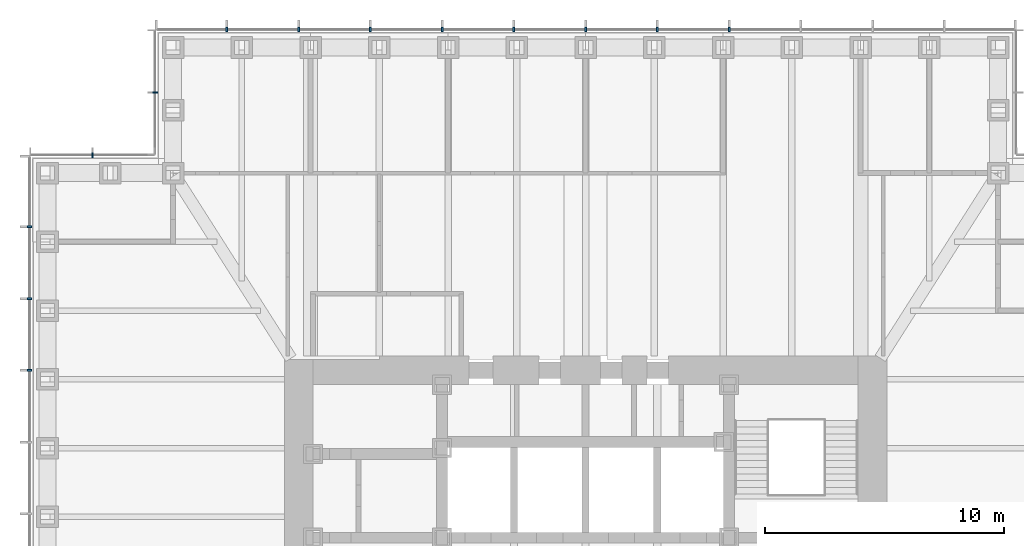
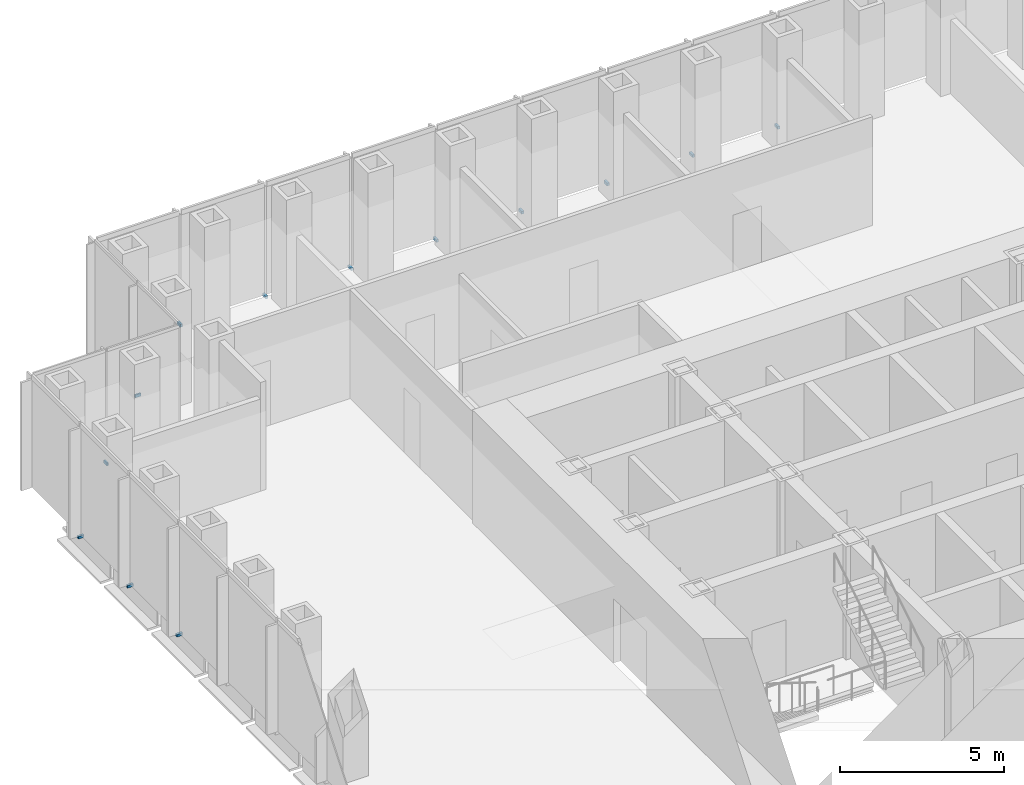
# One storey, part 15 of 17: 13 discrete accessories.
"""IFC4 building model written with IfcOpenShell, lengths in metres."""

from ifc_helpers import new_model, si_unit, direction, frame, origin, origin_2d, place, context, subcontext, project, spatial, rectangle, extrude, element, save


model = new_model("IFC4")

# Units and contexts
model_context = context("Model", 3, precision=1e-05, world=origin(), true_north=direction((0.0, 1.0)))
body_context = subcontext(model_context, "Body", "Model", "MODEL_VIEW")
ifc_project = project(units=[si_unit("LENGTHUNIT", "METRE"), si_unit("AREAUNIT", "SQUARE_METRE"), si_unit("VOLUMEUNIT", "CUBIC_METRE"), si_unit("PLANEANGLEUNIT", "RADIAN"), si_unit("MASSUNIT", "GRAM", prefix="KILO")], contexts=[model_context])

# Site, building, storey
site_placement = place(None, origin())
site = spatial("IfcSite", under=ifc_project, at=site_placement, CompositionType="ELEMENT")
building_placement = place(site_placement, origin())
building = spatial("IfcBuilding", under=site, at=building_placement, Name="Daluyong Arena Tower", CompositionType="ELEMENT")
storey_placement = place(building_placement, frame((0.0, 0.0, 124.89990234375)))
storey = spatial("IfcBuildingStorey", under=building, at=storey_placement, Name="L27", CompositionType="ELEMENT", Elevation=124.89990234375)

# Discrete accessories
for number, where, z_axis, x_axis, name in (
    (1, (62.0, 103.25, -0.099853515625), (0.0, 0.0, 1.0), (-1.0, 0.0, 0.0), "curtain wall L27 N anchor bracket 5"),
    (2, (59.0, 103.25, -0.099853515625), (0.0, 0.0, 1.0), (-1.0, 0.0, 0.0), "curtain wall L27 N anchor bracket 6"),
    (3, (56.0, 103.25, -0.099853515625), (0.0, 0.0, 1.0), (-1.0, 0.0, 0.0), "curtain wall L27 N anchor bracket 7"),
    (4, (53.0, 103.25, -0.099853515625), (0.0, 0.0, 1.0), (-1.0, 0.0, 0.0), "curtain wall L27 N anchor bracket 8"),
    (5, (50.0, 103.25, -0.099853515625), (0.0, 0.0, 1.0), (-1.0, 0.0, 0.0), "curtain wall L27 N anchor bracket 9"),
    (6, (47.0, 103.25, -0.099853515625), (0.0, 0.0, 1.0), (-1.0, 0.0, 0.0), "curtain wall L27 N anchor bracket 10"),
    (7, (44.0, 103.25, -0.099853515625), (0.0, 0.0, 1.0), (-1.0, 0.0, 0.0), "curtain wall L27 N anchor bracket 11"),
    (8, (41.0, 103.25, -0.099853515625), (0.0, 0.0, 1.0), (-1.0, 0.0, 0.0), "curtain wall L27 N anchor bracket 12"),
):
    element("IfcDiscreteAccessory", number, at=place(storey_placement, frame(where, z_axis=z_axis, x_axis=x_axis)), inside=storey, Name=name, PredefinedType="BRACKET", context=body_context, shape_type="SweptSolid", body=[
        extrude(rectangle(XDim=0.080078125, YDim=0.199951171875, at=origin_2d()), origin(), (0.0, 0.0, 1.0), 0.10009765625),
    ])
for number, where, z_axis, x_axis, name in (
    (9, (38.0, 100.625, -0.099853515625), (0.0, 0.0, 1.0), (0.0, -1.0, 0.0), "curtain wall L27 NW-W anchor bracket 2"),
    (10, (35.375, 98.0, -0.099853515625), (0.0, 0.0, 1.0), (-1.0, 0.0, 0.0), "curtain wall L27 NW-N anchor bracket 2"),
):
    element("IfcDiscreteAccessory", number, at=place(storey_placement, frame(where, z_axis=z_axis, x_axis=x_axis)), inside=storey, Name=name, PredefinedType="BRACKET", context=body_context, shape_type="SweptSolid", body=[
        extrude(rectangle(XDim=0.06005859375, YDim=0.199951171875, at=origin_2d()), origin(), (0.0, 0.0, 1.0), 0.10009765625),
    ])
for number, where, z_axis, x_axis, name in (
    (11, (32.75, 95.0, -0.099853515625), (0.0, 0.0, 1.0), (0.0, -1.0, 0.0), "curtain wall L27 W anchor bracket 2"),
    (12, (32.75, 92.0, -0.099853515625), (0.0, 0.0, 1.0), (0.0, -1.0, 0.0), "curtain wall L27 W anchor bracket 3"),
    (13, (32.75, 89.0, -0.099853515625), (0.0, 0.0, 1.0), (0.0, -1.0, 0.0), "curtain wall L27 W anchor bracket 4"),
):
    element("IfcDiscreteAccessory", number, at=place(storey_placement, frame(where, z_axis=z_axis, x_axis=x_axis)), inside=storey, Name=name, PredefinedType="BRACKET", context=body_context, shape_type="SweptSolid", body=[
        extrude(rectangle(XDim=0.080078125, YDim=0.199951171875, at=origin_2d()), origin(), (0.0, 0.0, 1.0), 0.10009765625),
    ])

save(model, "model.ifc")
